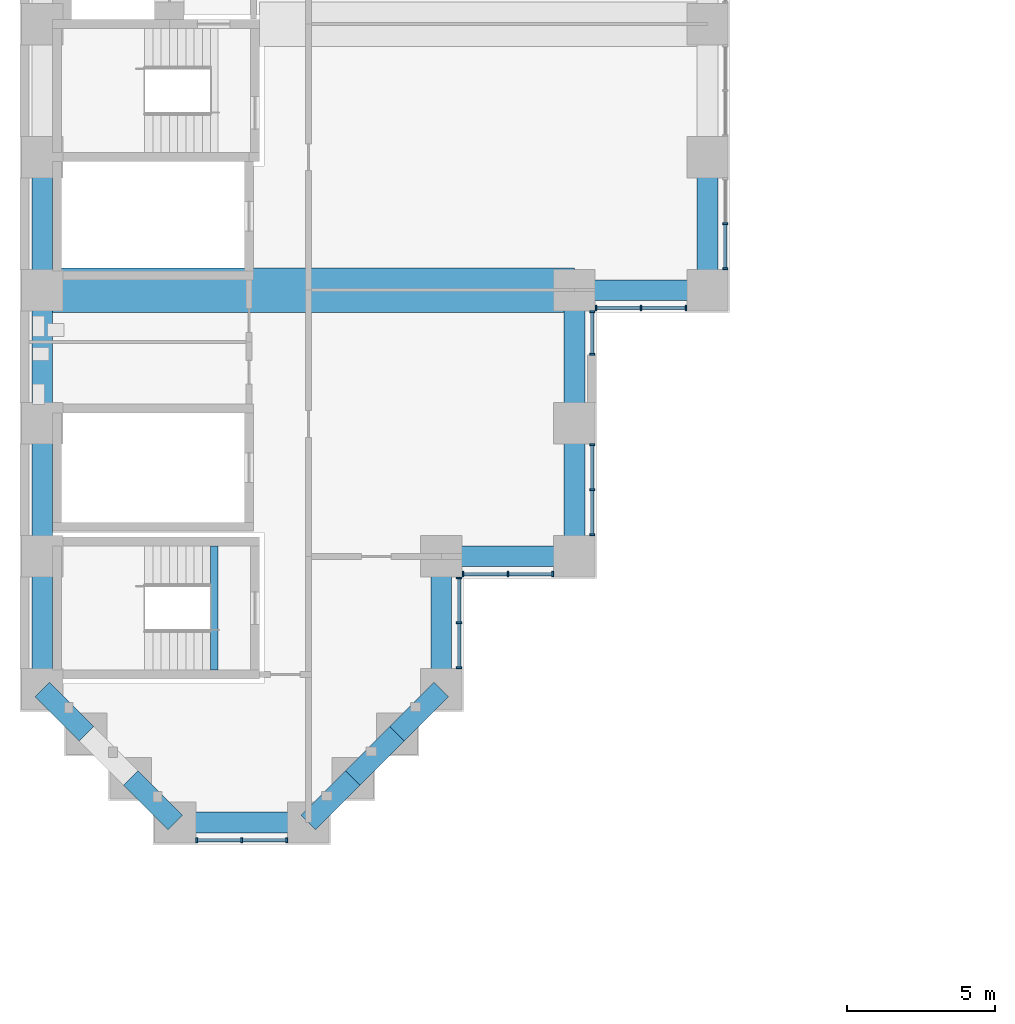
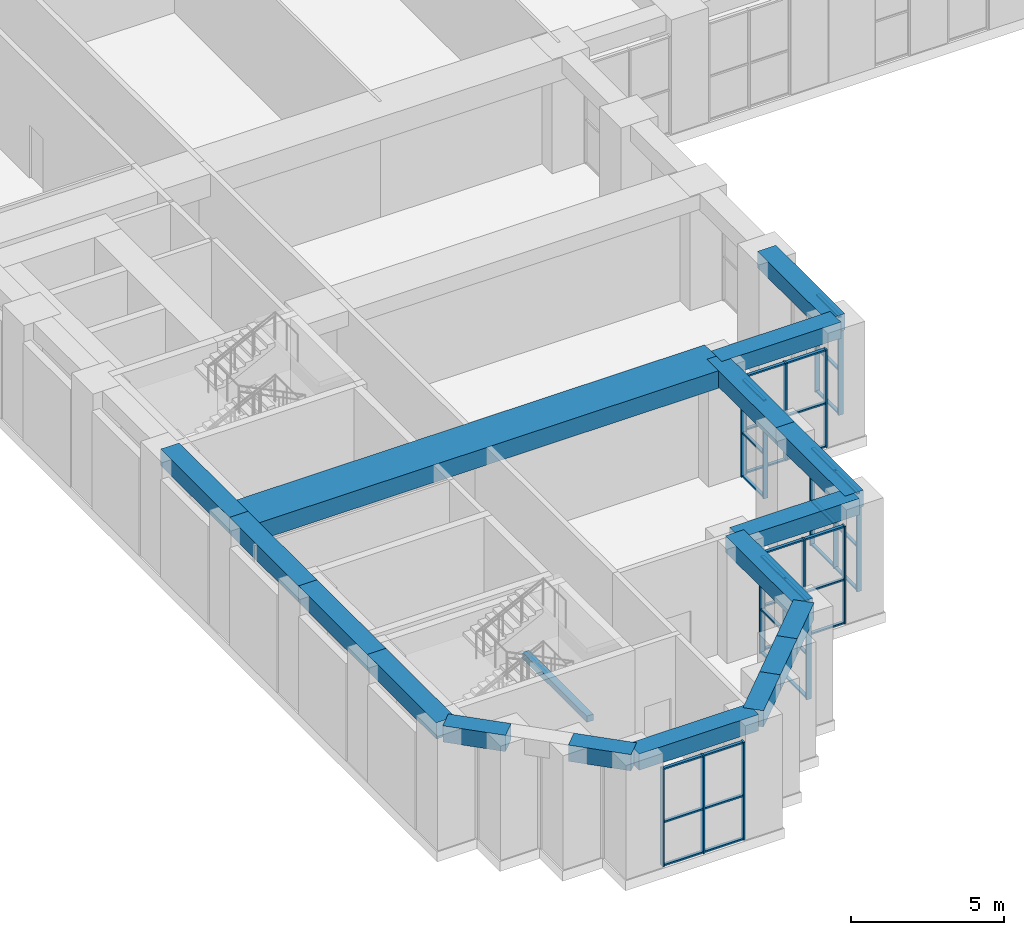
# One storey, part 2 of 34: 55 members, 18 beams, 7 elements without a shape of their own.
"""IFC4 building model written with IfcOpenShell, lengths in metres."""

from ifc_helpers import new_model, si_unit, direction, frame, origin, origin_2d, place, context, subcontext, project, spatial, rectangle, extrude, material, material_profile, profile_set, type_object, element, aggregate, save


model = new_model("IFC4")

# Units and contexts
model_context = context("Model", 3, precision=1e-05, world=origin(), true_north=direction((0.0, 1.0)))
body_context = subcontext(model_context, "Body", "Model", "MODEL_VIEW")
ifc_project = project(units=[si_unit("LENGTHUNIT", "METRE"), si_unit("AREAUNIT", "SQUARE_METRE"), si_unit("VOLUMEUNIT", "CUBIC_METRE"), si_unit("PLANEANGLEUNIT", "RADIAN"), si_unit("MASSUNIT", "GRAM", prefix="KILO")], contexts=[model_context])

# Site, building, storey
site_placement = place(None, origin())
site = spatial("IfcSite", under=ifc_project, at=site_placement, CompositionType="ELEMENT")
building_placement = place(site_placement, origin())
building = spatial("IfcBuilding", under=site, at=building_placement, Name="Firuza Court", CompositionType="ELEMENT")
storey_placement = place(building_placement, frame((0.0, 0.0, 19.0)))
storey = spatial("IfcBuildingStorey", under=building, at=storey_placement, Name="L03", CompositionType="ELEMENT", Elevation=19.0)

# Beams
ifc_material_1 = material(Name="Concrete C40/50", Category="concrete")
ifc_material_profile_1 = material_profile(ifc_material_1, rectangle(XDim=1.5, YDim=0.699951171875, at=origin_2d()), Name="RC 1500x700")
ifc_profile_set_1 = profile_set([ifc_material_profile_1], Name="Concrete C40/50")
beam_type_1 = type_object("IfcBeamType", Name="Band beam RC 1500x700 C40/50", PredefinedType="BEAM", material=ifc_profile_set_1)
beam_1_placement = place(storey_placement, frame((0.0, 18.0, 4.199951171875), z_axis=(1.0, 0.0, 0.0), x_axis=(0.0, 1.0, 0.0)))
element("IfcBeam", 1, at=beam_1_placement, inside=storey, type_object=beam_type_1, Name="Band beam FB1 level L04", PredefinedType="BEAM", context=body_context, shape_type="SweptSolid", body=[
    extrude(rectangle(XDim=1.5, YDim=0.699951171875, at=origin_2d()), origin(), (0.0, 0.0, 1.0), 18.0),
])
ifc_material_2 = material(Name="Concrete C40/50", Category="concrete")
ifc_material_profile_2 = material_profile(ifc_material_2, rectangle(XDim=0.25, YDim=0.25, at=origin_2d()), Name="RC 250x250")
ifc_profile_set_2 = profile_set([ifc_material_profile_2], Name="Concrete C40/50")
beam_type_2 = type_object("IfcBeamType", Name="Landing beam RC 250x250 C40/50", PredefinedType="BEAM", material=ifc_profile_set_2)
beam_2_placement = place(storey_placement, frame((5.824951171875, 5.14990234375, 2.175048828125), z_axis=(0.0, 1.0, 0.0), x_axis=(-1.0, 0.0, 0.0)))
element("IfcBeam", 2, at=beam_2_placement, inside=storey, type_object=beam_type_2, Name="Landing beam S5 L03", PredefinedType="BEAM", context=body_context, shape_type="SweptSolid", body=[
    extrude(rectangle(XDim=0.25, YDim=0.25, at=origin_2d()), origin(), (0.0, 0.0, 1.0), 4.2001953125),
])

# Curtain wall, members
ifc_material_3 = material(Name="Aluminium curtain wall, triple clear glazing", Category="aluminium")
curtain_wall_type = type_object("IfcCurtainWallType", Name="Podium unitised curtain wall CW1", PredefinedType="NOTDEFINED", material=ifc_material_3)
curtain_wall_1_placement = place(storey_placement, origin())
curtain_wall_1 = element("IfcCurtainWall", 3, at=curtain_wall_1_placement, inside=storey, type_object=curtain_wall_type, Name="Podium unitised curtain wall CW1 L03", PredefinedType="NOTDEFINED")
ifc_material_4 = material(Name="Aluminium EN AW-6060 T66", Category="aluminium")
ifc_material_profile_3 = material_profile(ifc_material_4, rectangle(XDim=0.179931640625, YDim=0.06005859375, at=origin_2d()), Name="Mullion 180 x 60 CW1")
ifc_profile_set_3 = profile_set([ifc_material_profile_3], Name="Aluminium EN AW-6060 T66")
member_type_1 = type_object("IfcMemberType", Name="Mullion 180 x 60 CW1", PredefinedType="MULLION", material=ifc_profile_set_3)
member_1_placement = place(storey_placement, frame((14.10009765625, 5.22998046875, 0.0), z_axis=(0.0, 0.0, 1.0), x_axis=(-1.0, 0.0, 0.0)))
member_1 = element("IfcMember", 4, at=member_1_placement, type_object=member_type_1, Name="CW1 mullion 1", PredefinedType="MULLION", context=body_context, shape_type="SweptSolid", body=[
    extrude(rectangle(XDim=0.179931640625, YDim=0.06005859375, at=origin_2d()), origin(), (0.0, 0.0, 1.0), 3.89990234375),
])
member_2_placement = place(storey_placement, frame((14.10009765625, 6.75, 0.0), z_axis=(0.0, 0.0, 1.0), x_axis=(-1.0, 0.0, 0.0)))
member_2 = element("IfcMember", 5, at=member_2_placement, type_object=member_type_1, Name="CW1 mullion 2", PredefinedType="MULLION", context=body_context, shape_type="SweptSolid", body=[
    extrude(rectangle(XDim=0.179931640625, YDim=0.06005859375, at=origin_2d()), origin(), (0.0, 0.0, 1.0), 3.89990234375),
])
member_3_placement = place(storey_placement, frame((14.10009765625, 8.27001953125, 0.0), z_axis=(0.0, 0.0, 1.0), x_axis=(-1.0, 0.0, 0.0)))
member_3 = element("IfcMember", 6, at=member_3_placement, type_object=member_type_1, Name="CW1 mullion 3", PredefinedType="MULLION", context=body_context, shape_type="SweptSolid", body=[
    extrude(rectangle(XDim=0.179931640625, YDim=0.06005859375, at=origin_2d()), origin(), (0.0, 0.0, 1.0), 3.89990234375),
])

curtain_wall_2_placement = place(storey_placement, origin())
curtain_wall_2 = element("IfcCurtainWall", 7, at=curtain_wall_2_placement, inside=storey, type_object=curtain_wall_type, Name="Podium unitised curtain wall CW1 L03", PredefinedType="NOTDEFINED")
member_4_placement = place(storey_placement, frame((14.22998046875, 8.39990234375, 0.0), z_axis=(0.0, 0.0, 1.0), x_axis=(0.0, 1.0, 0.0)))
member_4 = element("IfcMember", 8, at=member_4_placement, type_object=member_type_1, Name="CW1 mullion 1", PredefinedType="MULLION", context=body_context, shape_type="SweptSolid", body=[
    extrude(rectangle(XDim=0.179931640625, YDim=0.06005859375, at=origin_2d()), origin(), (0.0, 0.0, 1.0), 3.89990234375),
])
member_5_placement = place(storey_placement, frame((15.75, 8.39990234375, 0.0), z_axis=(0.0, 0.0, 1.0), x_axis=(0.0, 1.0, 0.0)))
member_5 = element("IfcMember", 9, at=member_5_placement, type_object=member_type_1, Name="CW1 mullion 2", PredefinedType="MULLION", context=body_context, shape_type="SweptSolid", body=[
    extrude(rectangle(XDim=0.179931640625, YDim=0.06005859375, at=origin_2d()), origin(), (0.0, 0.0, 1.0), 3.89990234375),
])
member_6_placement = place(storey_placement, frame((17.27001953125, 8.39990234375, 0.0), z_axis=(0.0, 0.0, 1.0), x_axis=(0.0, 1.0, 0.0)))
member_6 = element("IfcMember", 10, at=member_6_placement, type_object=member_type_1, Name="CW1 mullion 3", PredefinedType="MULLION", context=body_context, shape_type="SweptSolid", body=[
    extrude(rectangle(XDim=0.179931640625, YDim=0.06005859375, at=origin_2d()), origin(), (0.0, 0.0, 1.0), 3.89990234375),
])

curtain_wall_3_placement = place(storey_placement, origin())
curtain_wall_3 = element("IfcCurtainWall", 11, at=curtain_wall_3_placement, inside=storey, type_object=curtain_wall_type, Name="Podium unitised curtain wall CW1 L03", PredefinedType="NOTDEFINED")
member_7_placement = place(storey_placement, frame((18.60009765625, 9.72998046875, 0.0), z_axis=(0.0, 0.0, 1.0), x_axis=(-1.0, 0.0, 0.0)))
member_7 = element("IfcMember", 12, at=member_7_placement, type_object=member_type_1, Name="CW1 mullion 1", PredefinedType="MULLION", context=body_context, shape_type="SweptSolid", body=[
    extrude(rectangle(XDim=0.179931640625, YDim=0.06005859375, at=origin_2d()), origin(), (0.0, 0.0, 1.0), 3.89990234375),
])
member_8_placement = place(storey_placement, frame((18.60009765625, 11.25, 0.0), z_axis=(0.0, 0.0, 1.0), x_axis=(-1.0, 0.0, 0.0)))
member_8 = element("IfcMember", 13, at=member_8_placement, type_object=member_type_1, Name="CW1 mullion 2", PredefinedType="MULLION", context=body_context, shape_type="SweptSolid", body=[
    extrude(rectangle(XDim=0.179931640625, YDim=0.06005859375, at=origin_2d()), origin(), (0.0, 0.0, 1.0), 3.89990234375),
])
member_9_placement = place(storey_placement, frame((18.60009765625, 12.77001953125, 0.0), z_axis=(0.0, 0.0, 1.0), x_axis=(-1.0, 0.0, 0.0)))
member_9 = element("IfcMember", 14, at=member_9_placement, type_object=member_type_1, Name="CW1 mullion 3", PredefinedType="MULLION", context=body_context, shape_type="SweptSolid", body=[
    extrude(rectangle(XDim=0.179931640625, YDim=0.06005859375, at=origin_2d()), origin(), (0.0, 0.0, 1.0), 3.89990234375),
])

curtain_wall_4_placement = place(storey_placement, origin())
curtain_wall_4 = element("IfcCurtainWall", 15, at=curtain_wall_4_placement, inside=storey, type_object=curtain_wall_type, Name="Podium unitised curtain wall CW1 L03", PredefinedType="NOTDEFINED")
member_10_placement = place(storey_placement, frame((18.60009765625, 15.835205078125, 0.0), z_axis=(0.0, 0.0, 1.0), x_axis=(-1.0, 0.0, 0.0)))
member_10 = element("IfcMember", 16, at=member_10_placement, type_object=member_type_1, Name="CW1 mullion 1", PredefinedType="MULLION", context=body_context, shape_type="SweptSolid", body=[
    extrude(rectangle(XDim=0.179931640625, YDim=0.06005859375, at=origin_2d()), origin(), (0.0, 0.0, 1.0), 3.89990234375),
])
member_11_placement = place(storey_placement, frame((18.60009765625, 17.27001953125, 0.0), z_axis=(0.0, 0.0, 1.0), x_axis=(-1.0, 0.0, 0.0)))
member_11 = element("IfcMember", 17, at=member_11_placement, type_object=member_type_1, Name="CW1 mullion 2", PredefinedType="MULLION", context=body_context, shape_type="SweptSolid", body=[
    extrude(rectangle(XDim=0.179931640625, YDim=0.06005859375, at=origin_2d()), origin(), (0.0, 0.0, 1.0), 3.89990234375),
])

curtain_wall_5_placement = place(storey_placement, origin())
curtain_wall_5 = element("IfcCurtainWall", 18, at=curtain_wall_5_placement, inside=storey, type_object=curtain_wall_type, Name="Podium unitised curtain wall CW1 L03", PredefinedType="NOTDEFINED")
member_12_placement = place(storey_placement, frame((18.72998046875, 17.39990234375, 0.0), z_axis=(0.0, 0.0, 1.0), x_axis=(0.0, 1.0, 0.0)))
member_12 = element("IfcMember", 19, at=member_12_placement, type_object=member_type_1, Name="CW1 mullion 1", PredefinedType="MULLION", context=body_context, shape_type="SweptSolid", body=[
    extrude(rectangle(XDim=0.179931640625, YDim=0.06005859375, at=origin_2d()), origin(), (0.0, 0.0, 1.0), 3.89990234375),
])
member_13_placement = place(storey_placement, frame((20.25, 17.39990234375, 0.0), z_axis=(0.0, 0.0, 1.0), x_axis=(0.0, 1.0, 0.0)))
member_13 = element("IfcMember", 20, at=member_13_placement, type_object=member_type_1, Name="CW1 mullion 2", PredefinedType="MULLION", context=body_context, shape_type="SweptSolid", body=[
    extrude(rectangle(XDim=0.179931640625, YDim=0.06005859375, at=origin_2d()), origin(), (0.0, 0.0, 1.0), 3.89990234375),
])
member_14_placement = place(storey_placement, frame((21.77001953125, 17.39990234375, 0.0), z_axis=(0.0, 0.0, 1.0), x_axis=(0.0, 1.0, 0.0)))
member_14 = element("IfcMember", 21, at=member_14_placement, type_object=member_type_1, Name="CW1 mullion 3", PredefinedType="MULLION", context=body_context, shape_type="SweptSolid", body=[
    extrude(rectangle(XDim=0.179931640625, YDim=0.06005859375, at=origin_2d()), origin(), (0.0, 0.0, 1.0), 3.89990234375),
])

curtain_wall_6_placement = place(storey_placement, origin())
curtain_wall_6 = element("IfcCurtainWall", 22, at=curtain_wall_6_placement, inside=storey, type_object=curtain_wall_type, Name="Podium unitised curtain wall CW1 L03", PredefinedType="NOTDEFINED")
member_15_placement = place(storey_placement, frame((23.10009765625, 18.72998046875, 0.0), z_axis=(0.0, 0.0, 1.0), x_axis=(-1.0, 0.0, 0.0)))
member_15 = element("IfcMember", 23, at=member_15_placement, type_object=member_type_1, Name="CW1 mullion 1", PredefinedType="MULLION", context=body_context, shape_type="SweptSolid", body=[
    extrude(rectangle(XDim=0.179931640625, YDim=0.06005859375, at=origin_2d()), origin(), (0.0, 0.0, 1.0), 3.89990234375),
])
member_16_placement = place(storey_placement, frame((23.10009765625, 20.25, 0.0), z_axis=(0.0, 0.0, 1.0), x_axis=(-1.0, 0.0, 0.0)))
member_16 = element("IfcMember", 24, at=member_16_placement, type_object=member_type_1, Name="CW1 mullion 2", PredefinedType="MULLION", context=body_context, shape_type="SweptSolid", body=[
    extrude(rectangle(XDim=0.179931640625, YDim=0.06005859375, at=origin_2d()), origin(), (0.0, 0.0, 1.0), 3.89990234375),
])

curtain_wall_7_placement = place(storey_placement, origin())
curtain_wall_7 = element("IfcCurtainWall", 25, at=curtain_wall_7_placement, inside=storey, type_object=curtain_wall_type, Name="Podium unitised curtain wall CW1 L03", PredefinedType="NOTDEFINED")
member_17_placement = place(storey_placement, frame((5.22998046875, -0.60009765625, 0.0), z_axis=(0.0, 0.0, 1.0), x_axis=(0.0, 1.0, 0.0)))
member_17 = element("IfcMember", 26, at=member_17_placement, type_object=member_type_1, Name="CW1 mullion 1", PredefinedType="MULLION", context=body_context, shape_type="SweptSolid", body=[
    extrude(rectangle(XDim=0.179931640625, YDim=0.06005859375, at=origin_2d()), origin(), (0.0, 0.0, 1.0), 3.89990234375),
])
member_18_placement = place(storey_placement, frame((6.75, -0.60009765625, 0.0), z_axis=(0.0, 0.0, 1.0), x_axis=(0.0, 1.0, 0.0)))
member_18 = element("IfcMember", 27, at=member_18_placement, type_object=member_type_1, Name="CW1 mullion 2", PredefinedType="MULLION", context=body_context, shape_type="SweptSolid", body=[
    extrude(rectangle(XDim=0.179931640625, YDim=0.06005859375, at=origin_2d()), origin(), (0.0, 0.0, 1.0), 3.89990234375),
])
member_19_placement = place(storey_placement, frame((8.27001953125, -0.60009765625, 0.0), z_axis=(0.0, 0.0, 1.0), x_axis=(0.0, 1.0, 0.0)))
member_19 = element("IfcMember", 28, at=member_19_placement, type_object=member_type_1, Name="CW1 mullion 3", PredefinedType="MULLION", context=body_context, shape_type="SweptSolid", body=[
    extrude(rectangle(XDim=0.179931640625, YDim=0.06005859375, at=origin_2d()), origin(), (0.0, 0.0, 1.0), 3.89990234375),
])

# Beams
ifc_material_5 = material(Name="Concrete C40/50", Category="concrete")
ifc_material_profile_4 = material_profile(ifc_material_5, rectangle(XDim=0.699951171875, YDim=0.64990234375, at=origin_2d()), Name="RC 700x650")
ifc_profile_set_4 = profile_set([ifc_material_profile_4], Name="Concrete C40/50")
beam_type_3 = type_object("IfcBeamType", Name="Spandrel beam RC 700x650 C40/50", PredefinedType="BEAM", material=ifc_profile_set_4)
beam_3_placement = place(storey_placement, frame((0.0, 4.5, 4.22509765625), z_axis=(0.707106781187, -0.707106781187, 0.0), x_axis=(0.707106781187, 0.707106781187, 0.0)))
element("IfcBeam", 29, at=beam_3_placement, inside=storey, type_object=beam_type_3, Name="Spandrel beam SP9 level L04", PredefinedType="BEAM", context=body_context, shape_type="SweptSolid", body=[
    extrude(rectangle(XDim=0.699951171875, YDim=0.64990234375, at=origin_2d()), origin(), (0.0, 0.0, 1.0), 2.121337890625),
])
for number, where, z_axis, x_axis, name in (
    (30, (0.0, 9.0, 4.22509765625), (0.0, -1.0, 0.0), (1.0, 0.0, 0.0), "Spandrel beam SP9 level L04"),
    (31, (0.0, 13.5, 4.22509765625), (0.0, -1.0, 0.0), (1.0, 0.0, 0.0), "Spandrel beam SP9 level L04"),
    (32, (0.0, 18.0, 4.22509765625), (0.0, -1.0, 0.0), (1.0, 0.0, 0.0), "Spandrel beam SP9 level L04"),
    (33, (0.0, 22.5, 4.22509765625), (0.0, -1.0, 0.0), (1.0, 0.0, 0.0), "Spandrel beam SP9 level L04"),
):
    element("IfcBeam", number, at=place(storey_placement, frame(where, z_axis=z_axis, x_axis=x_axis)), inside=storey, type_object=beam_type_3, Name=name, PredefinedType="BEAM", context=body_context, shape_type="SweptSolid", body=[
        extrude(rectangle(XDim=0.699951171875, YDim=0.64990234375, at=origin_2d()), origin(), (0.0, 0.0, 1.0), 4.5),
    ])
beam_4_placement = place(storey_placement, frame((3.0, 1.5, 4.22509765625), z_axis=(0.707106781187, -0.707106781187, 0.0), x_axis=(0.707106781187, 0.707106781187, 0.0)))
element("IfcBeam", 34, at=beam_4_placement, inside=storey, type_object=beam_type_3, Name="Spandrel beam SP9 level L04", PredefinedType="BEAM", context=body_context, shape_type="SweptSolid", body=[
    extrude(rectangle(XDim=0.699951171875, YDim=0.64990234375, at=origin_2d()), origin(), (0.0, 0.0, 1.0), 2.121337890625),
])
beam_5_placement = place(storey_placement, frame((4.5, 0.0, 4.22509765625), z_axis=(1.0, 0.0, 0.0), x_axis=(0.0, 1.0, 0.0)))
element("IfcBeam", 35, at=beam_5_placement, inside=storey, type_object=beam_type_3, Name="Spandrel beam SP9 level L04", PredefinedType="BEAM", context=body_context, shape_type="SweptSolid", body=[
    extrude(rectangle(XDim=0.699951171875, YDim=0.64990234375, at=origin_2d()), origin(), (0.0, 0.0, 1.0), 4.5),
])
for number, where, z_axis, x_axis, name in (
    (36, (9.0, 0.0, 4.22509765625), (0.707106781187, 0.707106781187, 0.0), (-0.707106781187, 0.707106781187, 0.0), "Spandrel beam SP9 level L04"),
    (37, (10.5, 1.5, 4.22509765625), (0.707106781187, 0.707106781187, 0.0), (-0.707106781187, 0.707106781187, 0.0), "Spandrel beam SP9 level L04"),
    (38, (12.0, 3.0, 4.22509765625), (0.707106781187, 0.707106781187, 0.0), (-0.707106781187, 0.707106781187, 0.0), "Spandrel beam SP9 level L04"),
):
    element("IfcBeam", number, at=place(storey_placement, frame(where, z_axis=z_axis, x_axis=x_axis)), inside=storey, type_object=beam_type_3, Name=name, PredefinedType="BEAM", context=body_context, shape_type="SweptSolid", body=[
        extrude(rectangle(XDim=0.699951171875, YDim=0.64990234375, at=origin_2d()), origin(), (0.0, 0.0, 1.0), 2.121337890625),
    ])
for number, where, z_axis, x_axis, name in (
    (39, (13.5, 4.5, 4.22509765625), (0.0, 1.0, 0.0), (-1.0, 0.0, 0.0), "Spandrel beam SP9 level L04"),
    (40, (13.5, 9.0, 4.22509765625), (1.0, 0.0, 0.0), (0.0, 1.0, 0.0), "Spandrel beam SP9 level L04"),
    (41, (18.0, 9.0, 4.22509765625), (0.0, 1.0, 0.0), (-1.0, 0.0, 0.0), "Spandrel beam SP9 level L04"),
    (42, (18.0, 13.5, 4.22509765625), (0.0, 1.0, 0.0), (-1.0, 0.0, 0.0), "Spandrel beam SP9 level L04"),
    (43, (18.0, 18.0, 4.22509765625), (1.0, 0.0, 0.0), (0.0, 1.0, 0.0), "Spandrel beam SP9 level L04"),
    (44, (22.5, 18.0, 4.22509765625), (0.0, 1.0, 0.0), (-1.0, 0.0, 0.0), "Spandrel beam SP9 level L04"),
):
    element("IfcBeam", number, at=place(storey_placement, frame(where, z_axis=z_axis, x_axis=x_axis)), inside=storey, type_object=beam_type_3, Name=name, PredefinedType="BEAM", context=body_context, shape_type="SweptSolid", body=[
        extrude(rectangle(XDim=0.699951171875, YDim=0.64990234375, at=origin_2d()), origin(), (0.0, 0.0, 1.0), 4.5),
    ])

# Member
ifc_material_6 = material(Name="Aluminium EN AW-6060 T66", Category="aluminium")
ifc_material_profile_5 = material_profile(ifc_material_6, rectangle(XDim=0.1201171875, YDim=0.06005859375, at=origin_2d()), Name="Transom 120 x 60 CW1")
ifc_profile_set_5 = profile_set([ifc_material_profile_5], Name="Aluminium EN AW-6060 T66")
member_type_2 = type_object("IfcMemberType", Name="Transom 120 x 60 CW1", PredefinedType="USERDEFINED", material=ifc_profile_set_5)
member_20_placement = place(storey_placement, frame((14.10009765625, 5.260009765625, 0.030029296875), z_axis=(0.0, 1.0, 0.0), x_axis=(-1.0, 0.0, 0.0)))
member_20 = element("IfcMember", 45, at=member_20_placement, type_object=member_type_2, Name="CW1 transom 1.1", ObjectType="TRANSOM", PredefinedType="USERDEFINED", context=body_context, shape_type="SweptSolid", body=[
    extrude(rectangle(XDim=0.1201171875, YDim=0.06005859375, at=origin_2d()), origin(), (0.0, 0.0, 1.0), 1.4599609375),
])

member_21_placement = place(storey_placement, frame((14.10009765625, 5.260009765625, 1.7548828125), z_axis=(0.0, 1.0, 0.0), x_axis=(-1.0, 0.0, 0.0)))
member_21 = element("IfcMember", 46, at=member_21_placement, type_object=member_type_2, Name="CW1 transom 1.2", ObjectType="TRANSOM", PredefinedType="USERDEFINED", context=body_context, shape_type="SweptSolid", body=[
    extrude(rectangle(XDim=0.1201171875, YDim=0.06005859375, at=origin_2d()), origin(), (0.0, 0.0, 1.0), 1.4599609375),
])

member_22_placement = place(storey_placement, frame((14.10009765625, 5.260009765625, 3.8701171875), z_axis=(0.0, 1.0, 0.0), x_axis=(-1.0, 0.0, 0.0)))
member_22 = element("IfcMember", 47, at=member_22_placement, type_object=member_type_2, Name="CW1 transom 1.3", ObjectType="TRANSOM", PredefinedType="USERDEFINED", context=body_context, shape_type="SweptSolid", body=[
    extrude(rectangle(XDim=0.1201171875, YDim=0.06005859375, at=origin_2d()), origin(), (0.0, 0.0, 1.0), 1.4599609375),
])

member_23_placement = place(storey_placement, frame((14.10009765625, 6.780029296875, 0.030029296875), z_axis=(0.0, 1.0, 0.0), x_axis=(-1.0, 0.0, 0.0)))
member_23 = element("IfcMember", 48, at=member_23_placement, type_object=member_type_2, Name="CW1 transom 2.1", ObjectType="TRANSOM", PredefinedType="USERDEFINED", context=body_context, shape_type="SweptSolid", body=[
    extrude(rectangle(XDim=0.1201171875, YDim=0.06005859375, at=origin_2d()), origin(), (0.0, 0.0, 1.0), 1.4599609375),
])

member_24_placement = place(storey_placement, frame((14.10009765625, 6.780029296875, 1.7548828125), z_axis=(0.0, 1.0, 0.0), x_axis=(-1.0, 0.0, 0.0)))
member_24 = element("IfcMember", 49, at=member_24_placement, type_object=member_type_2, Name="CW1 transom 2.2", ObjectType="TRANSOM", PredefinedType="USERDEFINED", context=body_context, shape_type="SweptSolid", body=[
    extrude(rectangle(XDim=0.1201171875, YDim=0.06005859375, at=origin_2d()), origin(), (0.0, 0.0, 1.0), 1.4599609375),
])

member_25_placement = place(storey_placement, frame((14.10009765625, 6.780029296875, 3.8701171875), z_axis=(0.0, 1.0, 0.0), x_axis=(-1.0, 0.0, 0.0)))
member_25 = element("IfcMember", 50, at=member_25_placement, type_object=member_type_2, Name="CW1 transom 2.3", ObjectType="TRANSOM", PredefinedType="USERDEFINED", context=body_context, shape_type="SweptSolid", body=[
    extrude(rectangle(XDim=0.1201171875, YDim=0.06005859375, at=origin_2d()), origin(), (0.0, 0.0, 1.0), 1.4599609375),
])

aggregate(curtain_wall_1, [member_1, member_2, member_3, member_20, member_21, member_22, member_23, member_24, member_25])

member_26_placement = place(storey_placement, frame((14.260009765625, 8.39990234375, 0.030029296875), z_axis=(1.0, 0.0, 0.0), x_axis=(0.0, 1.0, 0.0)))
member_26 = element("IfcMember", 51, at=member_26_placement, type_object=member_type_2, Name="CW1 transom 1.1", ObjectType="TRANSOM", PredefinedType="USERDEFINED", context=body_context, shape_type="SweptSolid", body=[
    extrude(rectangle(XDim=0.1201171875, YDim=0.06005859375, at=origin_2d()), origin(), (0.0, 0.0, 1.0), 1.4599609375),
])

member_27_placement = place(storey_placement, frame((14.260009765625, 8.39990234375, 1.7548828125), z_axis=(1.0, 0.0, 0.0), x_axis=(0.0, 1.0, 0.0)))
member_27 = element("IfcMember", 52, at=member_27_placement, type_object=member_type_2, Name="CW1 transom 1.2", ObjectType="TRANSOM", PredefinedType="USERDEFINED", context=body_context, shape_type="SweptSolid", body=[
    extrude(rectangle(XDim=0.1201171875, YDim=0.06005859375, at=origin_2d()), origin(), (0.0, 0.0, 1.0), 1.4599609375),
])

member_28_placement = place(storey_placement, frame((14.260009765625, 8.39990234375, 3.8701171875), z_axis=(1.0, 0.0, 0.0), x_axis=(0.0, 1.0, 0.0)))
member_28 = element("IfcMember", 53, at=member_28_placement, type_object=member_type_2, Name="CW1 transom 1.3", ObjectType="TRANSOM", PredefinedType="USERDEFINED", context=body_context, shape_type="SweptSolid", body=[
    extrude(rectangle(XDim=0.1201171875, YDim=0.06005859375, at=origin_2d()), origin(), (0.0, 0.0, 1.0), 1.4599609375),
])

member_29_placement = place(storey_placement, frame((15.780029296875, 8.39990234375, 0.030029296875), z_axis=(1.0, 0.0, 0.0), x_axis=(0.0, 1.0, 0.0)))
member_29 = element("IfcMember", 54, at=member_29_placement, type_object=member_type_2, Name="CW1 transom 2.1", ObjectType="TRANSOM", PredefinedType="USERDEFINED", context=body_context, shape_type="SweptSolid", body=[
    extrude(rectangle(XDim=0.1201171875, YDim=0.06005859375, at=origin_2d()), origin(), (0.0, 0.0, 1.0), 1.4599609375),
])

member_30_placement = place(storey_placement, frame((15.780029296875, 8.39990234375, 1.7548828125), z_axis=(1.0, 0.0, 0.0), x_axis=(0.0, 1.0, 0.0)))
member_30 = element("IfcMember", 55, at=member_30_placement, type_object=member_type_2, Name="CW1 transom 2.2", ObjectType="TRANSOM", PredefinedType="USERDEFINED", context=body_context, shape_type="SweptSolid", body=[
    extrude(rectangle(XDim=0.1201171875, YDim=0.06005859375, at=origin_2d()), origin(), (0.0, 0.0, 1.0), 1.4599609375),
])

member_31_placement = place(storey_placement, frame((15.780029296875, 8.39990234375, 3.8701171875), z_axis=(1.0, 0.0, 0.0), x_axis=(0.0, 1.0, 0.0)))
member_31 = element("IfcMember", 56, at=member_31_placement, type_object=member_type_2, Name="CW1 transom 2.3", ObjectType="TRANSOM", PredefinedType="USERDEFINED", context=body_context, shape_type="SweptSolid", body=[
    extrude(rectangle(XDim=0.1201171875, YDim=0.06005859375, at=origin_2d()), origin(), (0.0, 0.0, 1.0), 1.4599609375),
])

aggregate(curtain_wall_2, [member_4, member_5, member_6, member_26, member_27, member_28, member_29, member_30, member_31])

member_32_placement = place(storey_placement, frame((18.60009765625, 9.760009765625, 0.030029296875), z_axis=(0.0, 1.0, 0.0), x_axis=(-1.0, 0.0, 0.0)))
member_32 = element("IfcMember", 57, at=member_32_placement, type_object=member_type_2, Name="CW1 transom 1.1", ObjectType="TRANSOM", PredefinedType="USERDEFINED", context=body_context, shape_type="SweptSolid", body=[
    extrude(rectangle(XDim=0.1201171875, YDim=0.06005859375, at=origin_2d()), origin(), (0.0, 0.0, 1.0), 1.4599609375),
])

member_33_placement = place(storey_placement, frame((18.60009765625, 9.760009765625, 1.7548828125), z_axis=(0.0, 1.0, 0.0), x_axis=(-1.0, 0.0, 0.0)))
member_33 = element("IfcMember", 58, at=member_33_placement, type_object=member_type_2, Name="CW1 transom 1.2", ObjectType="TRANSOM", PredefinedType="USERDEFINED", context=body_context, shape_type="SweptSolid", body=[
    extrude(rectangle(XDim=0.1201171875, YDim=0.06005859375, at=origin_2d()), origin(), (0.0, 0.0, 1.0), 1.4599609375),
])

member_34_placement = place(storey_placement, frame((18.60009765625, 9.760009765625, 3.8701171875), z_axis=(0.0, 1.0, 0.0), x_axis=(-1.0, 0.0, 0.0)))
member_34 = element("IfcMember", 59, at=member_34_placement, type_object=member_type_2, Name="CW1 transom 1.3", ObjectType="TRANSOM", PredefinedType="USERDEFINED", context=body_context, shape_type="SweptSolid", body=[
    extrude(rectangle(XDim=0.1201171875, YDim=0.06005859375, at=origin_2d()), origin(), (0.0, 0.0, 1.0), 1.4599609375),
])

member_35_placement = place(storey_placement, frame((18.60009765625, 11.280029296875, 0.030029296875), z_axis=(0.0, 1.0, 0.0), x_axis=(-1.0, 0.0, 0.0)))
member_35 = element("IfcMember", 60, at=member_35_placement, type_object=member_type_2, Name="CW1 transom 2.1", ObjectType="TRANSOM", PredefinedType="USERDEFINED", context=body_context, shape_type="SweptSolid", body=[
    extrude(rectangle(XDim=0.1201171875, YDim=0.06005859375, at=origin_2d()), origin(), (0.0, 0.0, 1.0), 1.4599609375),
])

member_36_placement = place(storey_placement, frame((18.60009765625, 11.280029296875, 1.7548828125), z_axis=(0.0, 1.0, 0.0), x_axis=(-1.0, 0.0, 0.0)))
member_36 = element("IfcMember", 61, at=member_36_placement, type_object=member_type_2, Name="CW1 transom 2.2", ObjectType="TRANSOM", PredefinedType="USERDEFINED", context=body_context, shape_type="SweptSolid", body=[
    extrude(rectangle(XDim=0.1201171875, YDim=0.06005859375, at=origin_2d()), origin(), (0.0, 0.0, 1.0), 1.4599609375),
])

member_37_placement = place(storey_placement, frame((18.60009765625, 11.280029296875, 3.8701171875), z_axis=(0.0, 1.0, 0.0), x_axis=(-1.0, 0.0, 0.0)))
member_37 = element("IfcMember", 62, at=member_37_placement, type_object=member_type_2, Name="CW1 transom 2.3", ObjectType="TRANSOM", PredefinedType="USERDEFINED", context=body_context, shape_type="SweptSolid", body=[
    extrude(rectangle(XDim=0.1201171875, YDim=0.06005859375, at=origin_2d()), origin(), (0.0, 0.0, 1.0), 1.4599609375),
])

aggregate(curtain_wall_3, [member_7, member_8, member_9, member_32, member_33, member_34, member_35, member_36, member_37])

member_38_placement = place(storey_placement, frame((18.60009765625, 15.865234375, 0.030029296875), z_axis=(0.0, 1.0, 0.0), x_axis=(-1.0, 0.0, 0.0)))
member_38 = element("IfcMember", 63, at=member_38_placement, type_object=member_type_2, Name="CW1 transom 1.1", ObjectType="TRANSOM", PredefinedType="USERDEFINED", context=body_context, shape_type="SweptSolid", body=[
    extrude(rectangle(XDim=0.1201171875, YDim=0.06005859375, at=origin_2d()), origin(), (0.0, 0.0, 1.0), 1.374755859375),
])

member_39_placement = place(storey_placement, frame((18.60009765625, 15.865234375, 1.7548828125), z_axis=(0.0, 1.0, 0.0), x_axis=(-1.0, 0.0, 0.0)))
member_39 = element("IfcMember", 64, at=member_39_placement, type_object=member_type_2, Name="CW1 transom 1.2", ObjectType="TRANSOM", PredefinedType="USERDEFINED", context=body_context, shape_type="SweptSolid", body=[
    extrude(rectangle(XDim=0.1201171875, YDim=0.06005859375, at=origin_2d()), origin(), (0.0, 0.0, 1.0), 1.374755859375),
])

member_40_placement = place(storey_placement, frame((18.60009765625, 15.865234375, 3.8701171875), z_axis=(0.0, 1.0, 0.0), x_axis=(-1.0, 0.0, 0.0)))
member_40 = element("IfcMember", 65, at=member_40_placement, type_object=member_type_2, Name="CW1 transom 1.3", ObjectType="TRANSOM", PredefinedType="USERDEFINED", context=body_context, shape_type="SweptSolid", body=[
    extrude(rectangle(XDim=0.1201171875, YDim=0.06005859375, at=origin_2d()), origin(), (0.0, 0.0, 1.0), 1.374755859375),
])

aggregate(curtain_wall_4, [member_10, member_11, member_38, member_39, member_40])

member_41_placement = place(storey_placement, frame((18.760009765625, 17.39990234375, 0.030029296875), z_axis=(1.0, 0.0, 0.0), x_axis=(0.0, 1.0, 0.0)))
member_41 = element("IfcMember", 66, at=member_41_placement, type_object=member_type_2, Name="CW1 transom 1.1", ObjectType="TRANSOM", PredefinedType="USERDEFINED", context=body_context, shape_type="SweptSolid", body=[
    extrude(rectangle(XDim=0.1201171875, YDim=0.06005859375, at=origin_2d()), origin(), (0.0, 0.0, 1.0), 1.4599609375),
])

member_42_placement = place(storey_placement, frame((18.760009765625, 17.39990234375, 1.7548828125), z_axis=(1.0, 0.0, 0.0), x_axis=(0.0, 1.0, 0.0)))
member_42 = element("IfcMember", 67, at=member_42_placement, type_object=member_type_2, Name="CW1 transom 1.2", ObjectType="TRANSOM", PredefinedType="USERDEFINED", context=body_context, shape_type="SweptSolid", body=[
    extrude(rectangle(XDim=0.1201171875, YDim=0.06005859375, at=origin_2d()), origin(), (0.0, 0.0, 1.0), 1.4599609375),
])

member_43_placement = place(storey_placement, frame((18.760009765625, 17.39990234375, 3.8701171875), z_axis=(1.0, 0.0, 0.0), x_axis=(0.0, 1.0, 0.0)))
member_43 = element("IfcMember", 68, at=member_43_placement, type_object=member_type_2, Name="CW1 transom 1.3", ObjectType="TRANSOM", PredefinedType="USERDEFINED", context=body_context, shape_type="SweptSolid", body=[
    extrude(rectangle(XDim=0.1201171875, YDim=0.06005859375, at=origin_2d()), origin(), (0.0, 0.0, 1.0), 1.4599609375),
])

member_44_placement = place(storey_placement, frame((20.280029296875, 17.39990234375, 0.030029296875), z_axis=(1.0, 0.0, 0.0), x_axis=(0.0, 1.0, 0.0)))
member_44 = element("IfcMember", 69, at=member_44_placement, type_object=member_type_2, Name="CW1 transom 2.1", ObjectType="TRANSOM", PredefinedType="USERDEFINED", context=body_context, shape_type="SweptSolid", body=[
    extrude(rectangle(XDim=0.1201171875, YDim=0.06005859375, at=origin_2d()), origin(), (0.0, 0.0, 1.0), 1.4599609375),
])

member_45_placement = place(storey_placement, frame((20.280029296875, 17.39990234375, 1.7548828125), z_axis=(1.0, 0.0, 0.0), x_axis=(0.0, 1.0, 0.0)))
member_45 = element("IfcMember", 70, at=member_45_placement, type_object=member_type_2, Name="CW1 transom 2.2", ObjectType="TRANSOM", PredefinedType="USERDEFINED", context=body_context, shape_type="SweptSolid", body=[
    extrude(rectangle(XDim=0.1201171875, YDim=0.06005859375, at=origin_2d()), origin(), (0.0, 0.0, 1.0), 1.4599609375),
])

member_46_placement = place(storey_placement, frame((20.280029296875, 17.39990234375, 3.8701171875), z_axis=(1.0, 0.0, 0.0), x_axis=(0.0, 1.0, 0.0)))
member_46 = element("IfcMember", 71, at=member_46_placement, type_object=member_type_2, Name="CW1 transom 2.3", ObjectType="TRANSOM", PredefinedType="USERDEFINED", context=body_context, shape_type="SweptSolid", body=[
    extrude(rectangle(XDim=0.1201171875, YDim=0.06005859375, at=origin_2d()), origin(), (0.0, 0.0, 1.0), 1.4599609375),
])

aggregate(curtain_wall_5, [member_12, member_13, member_14, member_41, member_42, member_43, member_44, member_45, member_46])

member_47_placement = place(storey_placement, frame((23.10009765625, 18.760009765625, 0.030029296875), z_axis=(0.0, 1.0, 0.0), x_axis=(-1.0, 0.0, 0.0)))
member_47 = element("IfcMember", 72, at=member_47_placement, type_object=member_type_2, Name="CW1 transom 1.1", ObjectType="TRANSOM", PredefinedType="USERDEFINED", context=body_context, shape_type="SweptSolid", body=[
    extrude(rectangle(XDim=0.1201171875, YDim=0.06005859375, at=origin_2d()), origin(), (0.0, 0.0, 1.0), 1.4599609375),
])

member_48_placement = place(storey_placement, frame((23.10009765625, 18.760009765625, 1.7548828125), z_axis=(0.0, 1.0, 0.0), x_axis=(-1.0, 0.0, 0.0)))
member_48 = element("IfcMember", 73, at=member_48_placement, type_object=member_type_2, Name="CW1 transom 1.2", ObjectType="TRANSOM", PredefinedType="USERDEFINED", context=body_context, shape_type="SweptSolid", body=[
    extrude(rectangle(XDim=0.1201171875, YDim=0.06005859375, at=origin_2d()), origin(), (0.0, 0.0, 1.0), 1.4599609375),
])

member_49_placement = place(storey_placement, frame((23.10009765625, 18.760009765625, 3.8701171875), z_axis=(0.0, 1.0, 0.0), x_axis=(-1.0, 0.0, 0.0)))
member_49 = element("IfcMember", 74, at=member_49_placement, type_object=member_type_2, Name="CW1 transom 1.3", ObjectType="TRANSOM", PredefinedType="USERDEFINED", context=body_context, shape_type="SweptSolid", body=[
    extrude(rectangle(XDim=0.1201171875, YDim=0.06005859375, at=origin_2d()), origin(), (0.0, 0.0, 1.0), 1.4599609375),
])

aggregate(curtain_wall_6, [member_15, member_16, member_47, member_48, member_49])

member_50_placement = place(storey_placement, frame((5.260009765625, -0.60009765625, 0.030029296875), z_axis=(1.0, 0.0, 0.0), x_axis=(0.0, 1.0, 0.0)))
member_50 = element("IfcMember", 75, at=member_50_placement, type_object=member_type_2, Name="CW1 transom 1.1", ObjectType="TRANSOM", PredefinedType="USERDEFINED", context=body_context, shape_type="SweptSolid", body=[
    extrude(rectangle(XDim=0.1201171875, YDim=0.06005859375, at=origin_2d()), origin(), (0.0, 0.0, 1.0), 1.4599609375),
])

member_51_placement = place(storey_placement, frame((5.260009765625, -0.60009765625, 1.7548828125), z_axis=(1.0, 0.0, 0.0), x_axis=(0.0, 1.0, 0.0)))
member_51 = element("IfcMember", 76, at=member_51_placement, type_object=member_type_2, Name="CW1 transom 1.2", ObjectType="TRANSOM", PredefinedType="USERDEFINED", context=body_context, shape_type="SweptSolid", body=[
    extrude(rectangle(XDim=0.1201171875, YDim=0.06005859375, at=origin_2d()), origin(), (0.0, 0.0, 1.0), 1.4599609375),
])

member_52_placement = place(storey_placement, frame((5.260009765625, -0.60009765625, 3.8701171875), z_axis=(1.0, 0.0, 0.0), x_axis=(0.0, 1.0, 0.0)))
member_52 = element("IfcMember", 77, at=member_52_placement, type_object=member_type_2, Name="CW1 transom 1.3", ObjectType="TRANSOM", PredefinedType="USERDEFINED", context=body_context, shape_type="SweptSolid", body=[
    extrude(rectangle(XDim=0.1201171875, YDim=0.06005859375, at=origin_2d()), origin(), (0.0, 0.0, 1.0), 1.4599609375),
])

member_53_placement = place(storey_placement, frame((6.780029296875, -0.60009765625, 0.030029296875), z_axis=(1.0, 0.0, 0.0), x_axis=(0.0, 1.0, 0.0)))
member_53 = element("IfcMember", 78, at=member_53_placement, type_object=member_type_2, Name="CW1 transom 2.1", ObjectType="TRANSOM", PredefinedType="USERDEFINED", context=body_context, shape_type="SweptSolid", body=[
    extrude(rectangle(XDim=0.1201171875, YDim=0.06005859375, at=origin_2d()), origin(), (0.0, 0.0, 1.0), 1.4599609375),
])

member_54_placement = place(storey_placement, frame((6.780029296875, -0.60009765625, 1.7548828125), z_axis=(1.0, 0.0, 0.0), x_axis=(0.0, 1.0, 0.0)))
member_54 = element("IfcMember", 79, at=member_54_placement, type_object=member_type_2, Name="CW1 transom 2.2", ObjectType="TRANSOM", PredefinedType="USERDEFINED", context=body_context, shape_type="SweptSolid", body=[
    extrude(rectangle(XDim=0.1201171875, YDim=0.06005859375, at=origin_2d()), origin(), (0.0, 0.0, 1.0), 1.4599609375),
])

member_55_placement = place(storey_placement, frame((6.780029296875, -0.60009765625, 3.8701171875), z_axis=(1.0, 0.0, 0.0), x_axis=(0.0, 1.0, 0.0)))
member_55 = element("IfcMember", 80, at=member_55_placement, type_object=member_type_2, Name="CW1 transom 2.3", ObjectType="TRANSOM", PredefinedType="USERDEFINED", context=body_context, shape_type="SweptSolid", body=[
    extrude(rectangle(XDim=0.1201171875, YDim=0.06005859375, at=origin_2d()), origin(), (0.0, 0.0, 1.0), 1.4599609375),
])

aggregate(curtain_wall_7, [member_17, member_18, member_19, member_50, member_51, member_52, member_53, member_54, member_55])

save(model, "model.ifc")
